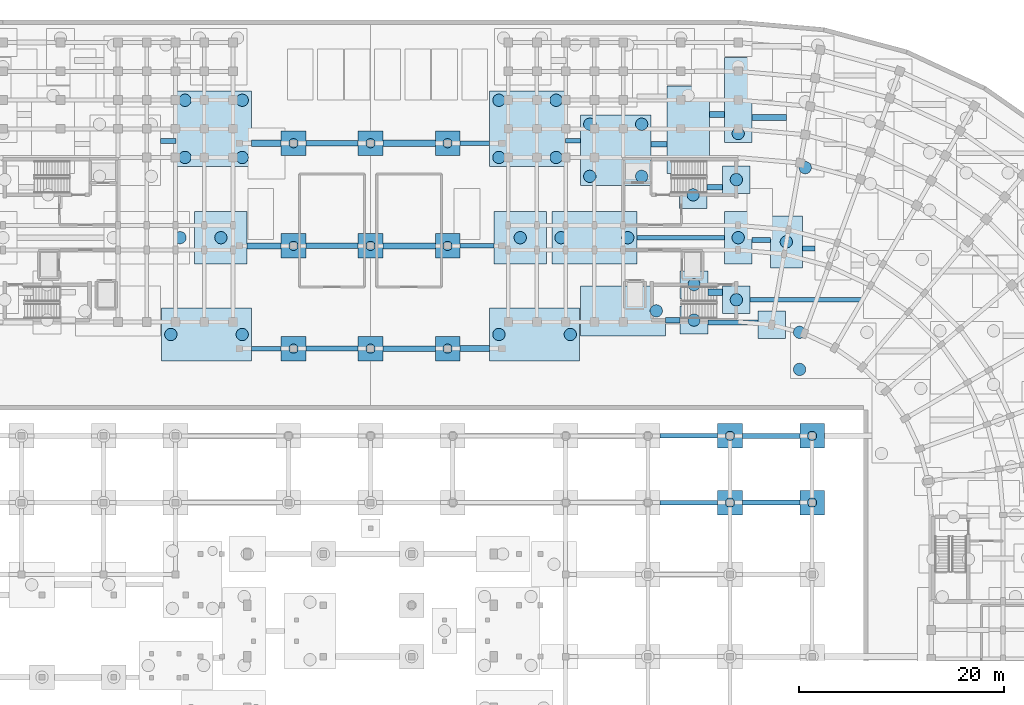
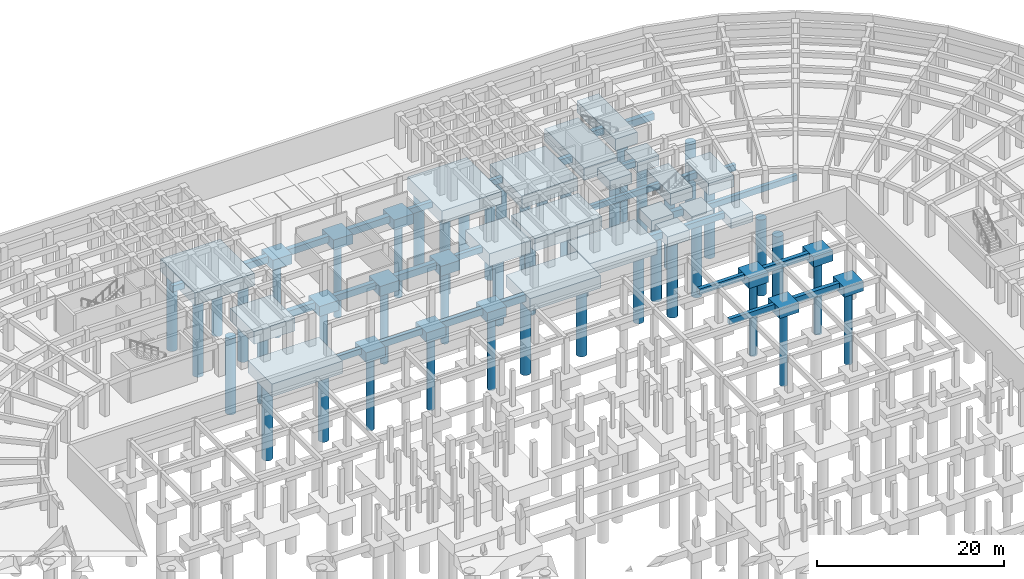
# One storey, part 9 of 53: 61 footings, 46 piles.
"""IFC4 building model written with IfcOpenShell, lengths in metres."""

from ifc_helpers import new_model, si_unit, direction, frame, origin, origin_2d, place, context, subcontext, project, spatial, rectangle, circle, extrude, material, material_profile, profile_set, type_object, element, save


model = new_model("IFC4")

# Units and contexts
model_context = context("Model", 3, precision=1e-05, world=origin(), true_north=direction((0.0, 1.0)))
body_context = subcontext(model_context, "Body", "Model", "MODEL_VIEW")
ifc_project = project(units=[si_unit("LENGTHUNIT", "METRE"), si_unit("AREAUNIT", "SQUARE_METRE"), si_unit("VOLUMEUNIT", "CUBIC_METRE"), si_unit("PLANEANGLEUNIT", "RADIAN"), si_unit("MASSUNIT", "GRAM", prefix="KILO")], contexts=[model_context])

# Site, building, storey
site_placement = place(None, origin())
site = spatial("IfcSite", under=ifc_project, at=site_placement, CompositionType="ELEMENT")
building_placement = place(site_placement, origin())
building = spatial("IfcBuilding", under=site, at=building_placement, Name="Kiranvali Square Residences", CompositionType="ELEMENT")
storey_placement = place(building_placement, frame((0.0, 0.0, -4.5)))
storey = spatial("IfcBuildingStorey", under=building, at=storey_placement, Name="B1", CompositionType="ELEMENT", Elevation=-4.5)

# Footings
ifc_material = material(Name="Concrete M40 (40 MPa)", Category="concrete")
footing_type_1 = type_object("IfcFootingType", Name="FTG-PILE_CAP-240x240x130", PredefinedType="PILE_CAP", material=ifc_material)
for number, where, z_axis, x_axis, name in (
    (1, (119.0, 89.0, -1.7998046875), (0.0, 0.0, 1.0), (1.0, 0.0, 0.0), "B1 pile cap 246"),
    (2, (127.0, 89.0, -1.7998046875), (0.0, 0.0, 1.0), (1.0, 0.0, 0.0), "B1 pile cap 247"),
    (3, (119.0, 95.5, -1.7998046875), (0.0, 0.0, 1.0), (1.0, 0.0, 0.0), "B1 pile cap 267"),
    (4, (127.0, 95.5, -1.7998046875), (0.0, 0.0, 1.0), (1.0, 0.0, 0.0), "B1 pile cap 268"),
    (5, (76.5, 104.0, -1.7998046875), (0.0, 0.0, 1.0), (1.0, 0.0, 0.0), "B1 pile cap 280"),
    (6, (84.0, 104.0, -1.7998046875), (0.0, 0.0, 1.0), (1.0, 0.0, 0.0), "B1 pile cap 281"),
    (7, (91.5, 104.0, -1.7998046875), (0.0, 0.0, 1.0), (1.0, 0.0, 0.0), "B1 pile cap 282"),
    (8, (76.5, 114.0, -1.7998046875), (0.0, 0.0, 1.0), (1.0, 0.0, 0.0), "B1 pile cap 312"),
    (9, (84.0, 114.0, -1.7998046875), (0.0, 0.0, 1.0), (1.0, 0.0, 0.0), "B1 pile cap 313"),
    (10, (91.5, 114.0, -1.7998046875), (0.0, 0.0, 1.0), (1.0, 0.0, 0.0), "B1 pile cap 314"),
    (11, (76.5, 124.0, -1.7998046875), (0.0, 0.0, 1.0), (1.0, 0.0, 0.0), "B1 pile cap 337"),
    (12, (84.0, 124.0, -1.7998046875), (0.0, 0.0, 1.0), (1.0, 0.0, 0.0), "B1 pile cap 338"),
    (13, (91.5, 124.0, -1.7998046875), (0.0, 0.0, 1.0), (1.0, 0.0, 0.0), "B1 pile cap 339"),
):
    element("IfcFooting", number, at=place(storey_placement, frame(where, z_axis=z_axis, x_axis=x_axis)), inside=storey, type_object=footing_type_1, Name=name, PredefinedType="PILE_CAP", context=body_context, shape_type="SweptSolid", body=[
        extrude(rectangle(XDim=2.39990234375, YDim=2.39990234375, at=origin_2d()), origin(), (0.0, 0.0, 1.0), 1.300048828125),
    ])
footing_type_2 = type_object("IfcFootingType", Name="FTG-PILE_CAP-270x270x130", PredefinedType="PILE_CAP", material=ifc_material)
for number, where, z_axis, x_axis, name in (
    (14, (123.06494140625, 106.31396484375, -1.7998046875), (0.0, 0.0, 1.0), (1.0, 0.0, 0.0), "B1 pile cap 287"),
    (15, (115.5, 106.77490234375, -1.7998046875), (0.0, 0.0, 1.0), (1.0, 0.0, 0.0), "B1 pile cap 291"),
    (16, (119.625, 108.75, -1.7998046875), (0.0, 0.0, 1.0), (1.0, 0.0, 0.0), "B1 pile cap 295"),
    (17, (115.5, 110.22509765625, -1.7998046875), (0.0, 0.0, 1.0), (1.0, 0.0, 0.0), "B1 pile cap 299"),
    (18, (115.412109375, 118.97509765625, -1.7998046875), (0.0, 0.0, 1.0), (1.0, 0.0, 0.0), "B1 pile cap 322"),
    (19, (119.625, 120.449951171875, -1.7998046875), (0.0, 0.0, 1.0), (1.0, 0.0, 0.0), "B1 pile cap 324"),
):
    element("IfcFooting", number, at=place(storey_placement, frame(where, z_axis=z_axis, x_axis=x_axis)), inside=storey, type_object=footing_type_2, Name=name, PredefinedType="PILE_CAP", context=body_context, shape_type="SweptSolid", body=[
        extrude(rectangle(XDim=2.699951171875, YDim=2.699951171875, at=origin_2d()), origin(), (0.0, 0.0, 1.0), 1.300048828125),
    ])
footing_type_3 = type_object("IfcFootingType", Name="FTG-PILE_CAP-506x312x150", PredefinedType="PILE_CAP", material=ifc_material)
footing_1_placement = place(storey_placement, frame((124.488525390625, 114.389892578125, -2.0), z_axis=(0.0, 0.0, 1.0), x_axis=(0.0, 1.0, 0.0)))
element("IfcFooting", 20, at=footing_1_placement, inside=storey, type_object=footing_type_3, Name="B1 pile cap 305", PredefinedType="PILE_CAP", context=body_context, shape_type="SweptSolid", body=[
    extrude(rectangle(XDim=5.06396484375, YDim=3.116943359375, at=origin_2d()), origin(), (0.0, 0.0, 1.0), 1.5),
])
footing_type_4 = type_object("IfcFootingType", Name="FTG-PILE_CAP-510x270x150", PredefinedType="PILE_CAP", material=ifc_material)
footing_2_placement = place(storey_placement, frame((119.800048828125, 114.800048828125, -2.0), z_axis=(0.0, 0.0, 1.0), x_axis=(0.0, 1.0, 0.0)))
element("IfcFooting", 21, at=footing_2_placement, inside=storey, type_object=footing_type_4, Name="B1 pile cap 311", PredefinedType="PILE_CAP", context=body_context, shape_type="SweptSolid", body=[
    extrude(rectangle(XDim=5.10009765625, YDim=2.699951171875, at=origin_2d()), origin(), (0.0, 0.0, 1.0), 1.5),
])
footing_type_5 = type_object("IfcFootingType", Name="FTG-PILE_CAP-510x510x165", PredefinedType="PILE_CAP", material=ifc_material)
for number, where, z_axis, x_axis, name in (
    (22, (69.425048828125, 114.800048828125, -2.14990234375), (0.0, 0.0, 1.0), (1.0, 0.0, 0.0), "B1 pile cap 308"),
    (23, (98.574951171875, 114.800048828125, -2.14990234375), (0.0, 0.0, 1.0), (1.0, 0.0, 0.0), "B1 pile cap 309"),
):
    element("IfcFooting", number, at=place(storey_placement, frame(where, z_axis=z_axis, x_axis=x_axis)), inside=storey, type_object=footing_type_5, Name=name, PredefinedType="PILE_CAP", context=body_context, shape_type="SweptSolid", body=[
        extrude(rectangle(XDim=5.10009765625, YDim=5.10009765625, at=origin_2d()), origin(), (0.0, 0.0, 1.0), 1.64990234375),
    ])
footing_type_6 = type_object("IfcFootingType", Name="FTG-PILE_CAP-688x685x165", PredefinedType="PILE_CAP", material=ifc_material)
footing_3_placement = place(storey_placement, frame((107.875, 123.3125, -2.14990234375), z_axis=(0.0, 0.0, 1.0), x_axis=(0.0, 1.0, 0.0)))
element("IfcFooting", 24, at=footing_3_placement, inside=storey, type_object=footing_type_6, Name="B1 pile cap 328", PredefinedType="PILE_CAP", context=body_context, shape_type="SweptSolid", body=[
    extrude(rectangle(XDim=6.875, YDim=6.85009765625, at=origin_2d()), origin(), (0.0, 0.0, 1.0), 1.64990234375),
])
footing_type_7 = type_object("IfcFootingType", Name="FTG-PILE_CAP-737x737x165", PredefinedType="PILE_CAP", material=ifc_material)
for number, where, z_axis, x_axis, name in (
    (25, (68.715087890625, 125.39990234375, -2.14990234375), (0.0, 0.0, 1.0), (1.0, 0.0, 0.0), "B1 pile cap 333"),
    (26, (99.284912109375, 125.39990234375, -2.14990234375), (0.0, 0.0, 1.0), (1.0, 0.0, 0.0), "B1 pile cap 334"),
):
    element("IfcFooting", number, at=place(storey_placement, frame(where, z_axis=z_axis, x_axis=x_axis)), inside=storey, type_object=footing_type_7, Name=name, PredefinedType="PILE_CAP", context=body_context, shape_type="SweptSolid", body=[
        extrude(rectangle(XDim=7.3701171875, YDim=7.3701171875, at=origin_2d()), origin(), (0.0, 0.0, 1.0), 1.64990234375),
    ])
footing_type_8 = type_object("IfcFootingType", Name="FTG-PILE_CAP-828x485x165", PredefinedType="PILE_CAP", material=ifc_material)
footing_4_placement = place(storey_placement, frame((108.58740234375, 107.675048828125, -2.14990234375), z_axis=(0.0, 0.0, 1.0), x_axis=(1.0, 0.0, 0.0)))
element("IfcFooting", 27, at=footing_4_placement, inside=storey, type_object=footing_type_8, Name="B1 pile cap 289", PredefinedType="PILE_CAP", context=body_context, shape_type="SweptSolid", body=[
    extrude(rectangle(XDim=8.27490234375, YDim=4.85009765625, at=origin_2d()), origin(), (0.0, 0.0, 1.0), 1.64990234375),
])
footing_type_9 = type_object("IfcFootingType", Name="FTG-PILE_CAP-830x270x150", PredefinedType="PILE_CAP", material=ifc_material)
footing_5_placement = place(storey_placement, frame((119.800048828125, 128.199951171875, -2.0), z_axis=(0.0, 0.0, 1.0), x_axis=(0.0, 1.0, 0.0)))
element("IfcFooting", 28, at=footing_5_placement, inside=storey, type_object=footing_type_9, Name="B1 pile cap 343", PredefinedType="PILE_CAP", context=body_context, shape_type="SweptSolid", body=[
    extrude(rectangle(XDim=8.300048828125, YDim=2.699951171875, at=origin_2d()), origin(), (0.0, 0.0, 1.0), 1.5),
])
footing_type_10 = type_object("IfcFootingType", Name="FTG-PILE_CAP-830x510x165", PredefinedType="PILE_CAP", material=ifc_material)
footing_6_placement = place(storey_placement, frame((105.800048828125, 114.800048828125, -2.14990234375), z_axis=(0.0, 0.0, 1.0), x_axis=(1.0, 0.0, 0.0)))
element("IfcFooting", 29, at=footing_6_placement, inside=storey, type_object=footing_type_10, Name="B1 pile cap 310", PredefinedType="PILE_CAP", context=body_context, shape_type="SweptSolid", body=[
    extrude(rectangle(XDim=8.300048828125, YDim=5.10009765625, at=origin_2d()), origin(), (0.0, 0.0, 1.0), 1.64990234375),
])
footing_type_11 = type_object("IfcFootingType", Name="FTG-PILE_CAP-847x415x165", PredefinedType="PILE_CAP", material=ifc_material)
footing_7_placement = place(storey_placement, frame((114.924072265625, 125.3125, -2.14990234375), z_axis=(0.0, 0.0, 1.0), x_axis=(0.0, 1.0, 0.0)))
element("IfcFooting", 30, at=footing_7_placement, inside=storey, type_object=footing_type_11, Name="B1 pile cap 332", PredefinedType="PILE_CAP", context=body_context, shape_type="SweptSolid", body=[
    extrude(rectangle(XDim=8.47509765625, YDim=4.14794921875, at=origin_2d()), origin(), (0.0, 0.0, 1.0), 1.64990234375),
])
footing_type_12 = type_object("IfcFootingType", Name="FTG-PILE_CAP-875x515x165", PredefinedType="PILE_CAP", material=ifc_material)
for number, where, z_axis, x_axis, name in (
    (31, (68.02490234375, 105.375, -2.14990234375), (0.0, 0.0, 1.0), (1.0, 0.0, 0.0), "B1 pile cap 279"),
    (32, (99.97509765625, 105.375, -2.14990234375), (0.0, 0.0, 1.0), (1.0, 0.0, 0.0), "B1 pile cap 283"),
):
    element("IfcFooting", number, at=place(storey_placement, frame(where, z_axis=z_axis, x_axis=x_axis)), inside=storey, type_object=footing_type_12, Name=name, PredefinedType="PILE_CAP", context=body_context, shape_type="SweptSolid", body=[
        extrude(rectangle(XDim=8.75, YDim=5.14990234375, at=origin_2d()), origin(), (0.0, 0.0, 1.0), 1.64990234375),
    ])
ifc_material_profile_1 = material_profile(ifc_material, rectangle(XDim=0.449951171875, YDim=0.75, at=origin_2d()), Name="GB 450x750")
ifc_profile_set_1 = profile_set([ifc_material_profile_1], Name="Concrete M40 (40 MPa)")
footing_type_13 = type_object("IfcFootingType", Name="GB-M40-450x750", PredefinedType="FOOTING_BEAM", material=ifc_profile_set_1)
for number, where, z_axis, x_axis, name in (
    (33, (112.199951171875, 89.0, -0.875), (1.0, 0.0, 0.0), (0.0, 1.0, 0.0), "Continuous foundation ground beam GB-184"),
    (34, (112.199951171875, 95.5, -0.875), (1.0, 0.0, 0.0), (0.0, 1.0, 0.0), "Continuous foundation ground beam GB-200"),
):
    element("IfcFooting", number, at=place(storey_placement, frame(where, z_axis=z_axis, x_axis=x_axis)), inside=storey, type_object=footing_type_13, Name=name, PredefinedType="FOOTING_BEAM", context=body_context, shape_type="SweptSolid", body=[
        extrude(rectangle(XDim=0.449951171875, YDim=0.75, at=origin_2d()), origin(), (0.0, 0.0, 1.0), 5.60009765625),
    ])
footing_8_placement = place(storey_placement, frame((72.39990234375, 104.0, -0.875), z_axis=(1.0, 0.0, 0.0), x_axis=(0.0, 1.0, 0.0)))
element("IfcFooting", 35, at=footing_8_placement, inside=storey, type_object=footing_type_13, Name="Continuous foundation ground beam GB-208", PredefinedType="FOOTING_BEAM", context=body_context, shape_type="SweptSolid", body=[
    extrude(rectangle(XDim=0.449951171875, YDim=0.75, at=origin_2d()), origin(), (0.0, 0.0, 1.0), 2.900146484375),
])
footing_9_placement = place(storey_placement, frame((116.85009765625, 106.54443359375, -0.875), z_axis=(1.0, 0.0, 0.0), x_axis=(0.0, 1.0, 0.0)))
element("IfcFooting", 36, at=footing_9_placement, inside=storey, type_object=footing_type_13, Name="Continuous foundation ground beam GB-216", PredefinedType="FOOTING_BEAM", context=body_context, shape_type="SweptSolid", body=[
    extrude(rectangle(XDim=0.449951171875, YDim=0.75, at=origin_2d()), origin(), (0.0, 0.0, 1.0), 4.864990234375),
])
footing_10_placement = place(storey_placement, frame((120.97509765625, 108.75, -0.875), z_axis=(1.0, 0.0, 0.0), x_axis=(0.0, 1.0, 0.0)))
element("IfcFooting", 37, at=footing_10_placement, inside=storey, type_object=footing_type_13, Name="Continuous foundation ground beam GB-220", PredefinedType="FOOTING_BEAM", context=body_context, shape_type="SweptSolid", body=[
    extrude(rectangle(XDim=0.449951171875, YDim=0.75, at=origin_2d()), origin(), (0.0, 0.0, 1.0), 11.02294921875),
])
footing_11_placement = place(storey_placement, frame((109.949951171875, 114.800048828125, -0.875), z_axis=(1.0, 0.0, 0.0), x_axis=(0.0, 1.0, 0.0)))
element("IfcFooting", 38, at=footing_11_placement, inside=storey, type_object=footing_type_13, Name="Continuous foundation ground beam GB-232", PredefinedType="FOOTING_BEAM", context=body_context, shape_type="SweptSolid", body=[
    extrude(rectangle(XDim=0.449951171875, YDim=0.75, at=origin_2d()), origin(), (0.0, 0.0, 1.0), 8.5),
])
footing_12_placement = place(storey_placement, frame((92.699951171875, 114.0, -0.875), z_axis=(1.0, 0.0, 0.0), x_axis=(0.0, 1.0, 0.0)))
element("IfcFooting", 39, at=footing_12_placement, inside=storey, type_object=footing_type_13, Name="Continuous foundation ground beam GB-236", PredefinedType="FOOTING_BEAM", context=body_context, shape_type="SweptSolid", body=[
    extrude(rectangle(XDim=0.449951171875, YDim=0.75, at=origin_2d()), origin(), (0.0, 0.0, 1.0), 3.324951171875),
])
footing_13_placement = place(storey_placement, frame((102.969970703125, 124.232421875, -0.875), z_axis=(1.0, 0.0, 0.0), x_axis=(0.0, 1.0, 0.0)))
element("IfcFooting", 40, at=footing_13_placement, inside=storey, type_object=footing_type_13, Name="Continuous foundation ground beam GB-252", PredefinedType="FOOTING_BEAM", context=body_context, shape_type="SweptSolid", body=[
    extrude(rectangle(XDim=0.449951171875, YDim=0.75, at=origin_2d()), origin(), (0.0, 0.0, 1.0), 1.47998046875),
])
footing_14_placement = place(storey_placement, frame((92.699951171875, 124.0, -0.875), z_axis=(1.0, 0.0, 0.0), x_axis=(0.0, 1.0, 0.0)))
element("IfcFooting", 41, at=footing_14_placement, inside=storey, type_object=footing_type_13, Name="Continuous foundation ground beam GB-256", PredefinedType="FOOTING_BEAM", context=body_context, shape_type="SweptSolid", body=[
    extrude(rectangle(XDim=0.449951171875, YDim=0.75, at=origin_2d()), origin(), (0.0, 0.0, 1.0), 2.900146484375),
])
ifc_material_profile_2 = material_profile(ifc_material, rectangle(XDim=0.5, YDim=0.800048828125, at=origin_2d()), Name="GB 500x800")
ifc_profile_set_2 = profile_set([ifc_material_profile_2], Name="Concrete M40 (40 MPa)")
footing_type_14 = type_object("IfcFootingType", Name="GB-M40-500x800", PredefinedType="FOOTING_BEAM", material=ifc_profile_set_2)
for number, where, z_axis, x_axis, name in (
    (42, (120.199951171875, 89.0, -0.89990234375), (1.0, 0.0, 0.0), (0.0, 1.0, 0.0), "Continuous foundation ground beam GB-185"),
    (43, (120.199951171875, 95.5, -0.89990234375), (1.0, 0.0, 0.0), (0.0, 1.0, 0.0), "Continuous foundation ground beam GB-201"),
):
    element("IfcFooting", number, at=place(storey_placement, frame(where, z_axis=z_axis, x_axis=x_axis)), inside=storey, type_object=footing_type_14, Name=name, PredefinedType="FOOTING_BEAM", context=body_context, shape_type="SweptSolid", body=[
        extrude(rectangle(XDim=0.5, YDim=0.800048828125, at=origin_2d()), origin(), (0.0, 0.0, 1.0), 5.60009765625),
    ])
footing_15_placement = place(storey_placement, frame((77.699951171875, 104.0, -0.89990234375), z_axis=(1.0, 0.0, 0.0), x_axis=(0.0, 1.0, 0.0)))
element("IfcFooting", 44, at=footing_15_placement, inside=storey, type_object=footing_type_14, Name="Continuous foundation ground beam GB-209", PredefinedType="FOOTING_BEAM", context=body_context, shape_type="SweptSolid", body=[
    extrude(rectangle(XDim=0.5, YDim=0.800048828125, at=origin_2d()), origin(), (0.0, 0.0, 1.0), 5.10009765625),
])
footing_16_placement = place(storey_placement, frame((126.047119140625, 113.75341796875, -0.89990234375), z_axis=(1.0, 0.0, 0.0), x_axis=(0.0, 1.0, 0.0)))
element("IfcFooting", 45, at=footing_16_placement, inside=storey, type_object=footing_type_14, Name="Continuous foundation ground beam GB-229", PredefinedType="FOOTING_BEAM", context=body_context, shape_type="SweptSolid", body=[
    extrude(rectangle(XDim=0.5, YDim=0.800048828125, at=origin_2d()), origin(), (0.0, 0.0, 1.0), 1.226806640625),
])
footing_17_placement = place(storey_placement, frame((121.14990234375, 114.5859375, -0.89990234375), z_axis=(1.0, 0.0, 0.0), x_axis=(0.0, 1.0, 0.0)))
element("IfcFooting", 46, at=footing_17_placement, inside=storey, type_object=footing_type_14, Name="Continuous foundation ground beam GB-233", PredefinedType="FOOTING_BEAM", context=body_context, shape_type="SweptSolid", body=[
    extrude(rectangle(XDim=0.5, YDim=0.800048828125, at=origin_2d()), origin(), (0.0, 0.0, 1.0), 1.780029296875),
])
footing_18_placement = place(storey_placement, frame((116.761962890625, 119.71240234375, -0.89990234375), z_axis=(1.0, 0.0, 0.0), x_axis=(0.0, 1.0, 0.0)))
element("IfcFooting", 47, at=footing_18_placement, inside=storey, type_object=footing_type_14, Name="Continuous foundation ground beam GB-241", PredefinedType="FOOTING_BEAM", context=body_context, shape_type="SweptSolid", body=[
    extrude(rectangle(XDim=0.5, YDim=0.800048828125, at=origin_2d()), origin(), (0.0, 0.0, 1.0), 1.512939453125),
])
footing_19_placement = place(storey_placement, frame((63.550048828125, 124.232421875, -0.89990234375), z_axis=(1.0, 0.0, 0.0), x_axis=(0.0, 1.0, 0.0)))
element("IfcFooting", 48, at=footing_19_placement, inside=storey, type_object=footing_type_14, Name="Continuous foundation ground beam GB-245", PredefinedType="FOOTING_BEAM", context=body_context, shape_type="SweptSolid", body=[
    extrude(rectangle(XDim=0.5, YDim=0.800048828125, at=origin_2d()), origin(), (0.0, 0.0, 1.0), 1.47998046875),
])
ifc_material_profile_3 = material_profile(ifc_material, rectangle(XDim=0.550048828125, YDim=0.85009765625, at=origin_2d()), Name="GB 550x850")
ifc_profile_set_3 = profile_set([ifc_material_profile_3], Name="Concrete M40 (40 MPa)")
footing_type_15 = type_object("IfcFootingType", Name="GB-M40-550x850", PredefinedType="FOOTING_BEAM", material=ifc_profile_set_3)
footing_20_placement = place(storey_placement, frame((85.199951171875, 104.0, -0.925048828125), z_axis=(1.0, 0.0, 0.0), x_axis=(0.0, 1.0, 0.0)))
element("IfcFooting", 49, at=footing_20_placement, inside=storey, type_object=footing_type_15, Name="Continuous foundation ground beam GB-210", PredefinedType="FOOTING_BEAM", context=body_context, shape_type="SweptSolid", body=[
    extrude(rectangle(XDim=0.550048828125, YDim=0.85009765625, at=origin_2d()), origin(), (0.0, 0.0, 1.0), 5.10009765625),
])
footing_21_placement = place(storey_placement, frame((112.72509765625, 106.77490234375, -0.925048828125), z_axis=(1.0, 0.0, 0.0), x_axis=(0.0, 1.0, 0.0)))
element("IfcFooting", 50, at=footing_21_placement, inside=storey, type_object=footing_type_15, Name="Continuous foundation ground beam GB-214", PredefinedType="FOOTING_BEAM", context=body_context, shape_type="SweptSolid", body=[
    extrude(rectangle(XDim=0.550048828125, YDim=0.85009765625, at=origin_2d()), origin(), (0.0, 0.0, 1.0), 1.4248046875),
])
footing_22_placement = place(storey_placement, frame((77.699951171875, 114.0, -0.925048828125), z_axis=(1.0, 0.0, 0.0), x_axis=(0.0, 1.0, 0.0)))
element("IfcFooting", 51, at=footing_22_placement, inside=storey, type_object=footing_type_15, Name="Continuous foundation ground beam GB-234", PredefinedType="FOOTING_BEAM", context=body_context, shape_type="SweptSolid", body=[
    extrude(rectangle(XDim=0.550048828125, YDim=0.85009765625, at=origin_2d()), origin(), (0.0, 0.0, 1.0), 5.10009765625),
])
footing_23_placement = place(storey_placement, frame((111.300048828125, 123.91259765625, -0.925048828125), z_axis=(1.0, 0.0, 0.0), x_axis=(0.0, 1.0, 0.0)))
element("IfcFooting", 52, at=footing_23_placement, inside=storey, type_object=footing_type_15, Name="Continuous foundation ground beam GB-246", PredefinedType="FOOTING_BEAM", context=body_context, shape_type="SweptSolid", body=[
    extrude(rectangle(XDim=0.550048828125, YDim=0.85009765625, at=origin_2d()), origin(), (0.0, 0.0, 1.0), 1.550048828125),
])
footing_24_placement = place(storey_placement, frame((116.998046875, 126.800048828125, -0.925048828125), z_axis=(1.0, 0.0, 0.0), x_axis=(0.0, 1.0, 0.0)))
element("IfcFooting", 53, at=footing_24_placement, inside=storey, type_object=footing_type_15, Name="Continuous foundation ground beam GB-250", PredefinedType="FOOTING_BEAM", context=body_context, shape_type="SweptSolid", body=[
    extrude(rectangle(XDim=0.550048828125, YDim=0.85009765625, at=origin_2d()), origin(), (0.0, 0.0, 1.0), 1.451904296875),
])
footing_25_placement = place(storey_placement, frame((77.699951171875, 124.0, -0.925048828125), z_axis=(1.0, 0.0, 0.0), x_axis=(0.0, 1.0, 0.0)))
element("IfcFooting", 54, at=footing_25_placement, inside=storey, type_object=footing_type_15, Name="Continuous foundation ground beam GB-254", PredefinedType="FOOTING_BEAM", context=body_context, shape_type="SweptSolid", body=[
    extrude(rectangle(XDim=0.550048828125, YDim=0.85009765625, at=origin_2d()), origin(), (0.0, 0.0, 1.0), 5.10009765625),
])
ifc_material_profile_4 = material_profile(ifc_material, rectangle(XDim=0.60009765625, YDim=0.89990234375, at=origin_2d()), Name="GB 600x900")
ifc_profile_set_4 = profile_set([ifc_material_profile_4], Name="Concrete M40 (40 MPa)")
footing_type_16 = type_object("IfcFootingType", Name="GB-M40-600x900", PredefinedType="FOOTING_BEAM", material=ifc_profile_set_4)
footing_26_placement = place(storey_placement, frame((92.699951171875, 104.0, -0.949951171875), z_axis=(1.0, 0.0, 0.0), x_axis=(0.0, 1.0, 0.0)))
element("IfcFooting", 55, at=footing_26_placement, inside=storey, type_object=footing_type_16, Name="Continuous foundation ground beam GB-211", PredefinedType="FOOTING_BEAM", context=body_context, shape_type="SweptSolid", body=[
    extrude(rectangle(XDim=0.60009765625, YDim=0.89990234375, at=origin_2d()), origin(), (0.0, 0.0, 1.0), 2.900146484375),
])
footing_27_placement = place(storey_placement, frame((116.85009765625, 109.487548828125, -0.949951171875), z_axis=(1.0, 0.0, 0.0), x_axis=(0.0, 1.0, 0.0)))
element("IfcFooting", 56, at=footing_27_placement, inside=storey, type_object=footing_type_16, Name="Continuous foundation ground beam GB-223", PredefinedType="FOOTING_BEAM", context=body_context, shape_type="SweptSolid", body=[
    extrude(rectangle(XDim=0.60009765625, YDim=0.89990234375, at=origin_2d()), origin(), (0.0, 0.0, 1.0), 1.4248046875),
])
footing_28_placement = place(storey_placement, frame((71.97509765625, 114.0, -0.949951171875), z_axis=(1.0, 0.0, 0.0), x_axis=(0.0, 1.0, 0.0)))
element("IfcFooting", 57, at=footing_28_placement, inside=storey, type_object=footing_type_16, Name="Continuous foundation ground beam GB-231", PredefinedType="FOOTING_BEAM", context=body_context, shape_type="SweptSolid", body=[
    extrude(rectangle(XDim=0.60009765625, YDim=0.89990234375, at=origin_2d()), origin(), (0.0, 0.0, 1.0), 3.324951171875),
])
footing_29_placement = place(storey_placement, frame((85.199951171875, 114.0, -0.949951171875), z_axis=(1.0, 0.0, 0.0), x_axis=(0.0, 1.0, 0.0)))
element("IfcFooting", 58, at=footing_29_placement, inside=storey, type_object=footing_type_16, Name="Continuous foundation ground beam GB-235", PredefinedType="FOOTING_BEAM", context=body_context, shape_type="SweptSolid", body=[
    extrude(rectangle(XDim=0.60009765625, YDim=0.89990234375, at=origin_2d()), origin(), (0.0, 0.0, 1.0), 5.10009765625),
])
footing_30_placement = place(storey_placement, frame((72.39990234375, 124.0, -0.949951171875), z_axis=(1.0, 0.0, 0.0), x_axis=(0.0, 1.0, 0.0)))
element("IfcFooting", 59, at=footing_30_placement, inside=storey, type_object=footing_type_16, Name="Continuous foundation ground beam GB-251", PredefinedType="FOOTING_BEAM", context=body_context, shape_type="SweptSolid", body=[
    extrude(rectangle(XDim=0.60009765625, YDim=0.89990234375, at=origin_2d()), origin(), (0.0, 0.0, 1.0), 2.900146484375),
])
footing_31_placement = place(storey_placement, frame((85.199951171875, 124.0, -0.949951171875), z_axis=(1.0, 0.0, 0.0), x_axis=(0.0, 1.0, 0.0)))
element("IfcFooting", 60, at=footing_31_placement, inside=storey, type_object=footing_type_16, Name="Continuous foundation ground beam GB-255", PredefinedType="FOOTING_BEAM", context=body_context, shape_type="SweptSolid", body=[
    extrude(rectangle(XDim=0.60009765625, YDim=0.89990234375, at=origin_2d()), origin(), (0.0, 0.0, 1.0), 5.10009765625),
])
footing_32_placement = place(storey_placement, frame((121.14990234375, 126.492919921875, -0.949951171875), z_axis=(1.0, 0.0, 0.0), x_axis=(0.0, 1.0, 0.0)))
element("IfcFooting", 61, at=footing_32_placement, inside=storey, type_object=footing_type_16, Name="Continuous foundation ground beam GB-259", PredefinedType="FOOTING_BEAM", context=body_context, shape_type="SweptSolid", body=[
    extrude(rectangle(XDim=0.60009765625, YDim=0.89990234375, at=origin_2d()), origin(), (0.0, 0.0, 1.0), 3.343017578125),
])

# Piles
ifc_material_profile_5 = material_profile(ifc_material, circle(Radius=0.60009765625, at=origin_2d()), Name="BORED PILE 1200")
ifc_profile_set_5 = profile_set([ifc_material_profile_5], Name="Concrete M40 (40 MPa)")
pile_type_1 = type_object("IfcPileType", Name="PILE-BORED-1200", PredefinedType="BORED", material=ifc_profile_set_5)
for number, where, z_axis, x_axis, name in (
    (62, (125.780029296875, 101.972900390625, -2.050048828125), (0.0, 0.0, -1.0), (1.0, 0.0, 0.0), "Bored basalt-socketed pile P-0376"),
    (63, (125.780029296875, 105.5849609375, -2.050048828125), (0.0, 0.0, -1.0), (1.0, 0.0, 0.0), "Bored basalt-socketed pile P-0377"),
    (64, (64.550048828125, 105.375, -2.050048828125), (0.0, 0.0, -1.0), (1.0, 0.0, 0.0), "Bored basalt-socketed pile P-0381"),
    (65, (71.5, 105.375, -2.050048828125), (0.0, 0.0, -1.0), (1.0, 0.0, 0.0), "Bored basalt-socketed pile P-0382"),
    (66, (96.5, 105.375, -2.050048828125), (0.0, 0.0, -1.0), (1.0, 0.0, 0.0), "Bored basalt-socketed pile P-0386"),
    (67, (103.449951171875, 105.375, -2.050048828125), (0.0, 0.0, -1.0), (1.0, 0.0, 0.0), "Bored basalt-socketed pile P-0387"),
    (68, (111.824951171875, 107.675048828125, -2.050048828125), (0.0, 0.0, -1.0), (1.0, 0.0, 0.0), "Bored basalt-socketed pile P-0393"),
):
    element("IfcPile", number, at=place(storey_placement, frame(where, z_axis=z_axis, x_axis=x_axis)), inside=storey, type_object=pile_type_1, Name=name, PredefinedType="BORED", context=body_context, shape_type="SweptSolid", body=[
        extrude(circle(Radius=0.60009765625, at=origin_2d()), origin(), (0.0, 0.0, 1.0), 9.949951171875),
    ])
for number, where, z_axis, x_axis, name in (
    (69, (115.5, 106.77490234375, -1.699951171875), (0.0, 0.0, -1.0), (1.0, 0.0, 0.0), "Bored basalt-socketed pile P-0395"),
    (70, (119.625, 108.75, -1.699951171875), (0.0, 0.0, -1.0), (1.0, 0.0, 0.0), "Bored basalt-socketed pile P-0401"),
    (71, (115.5, 110.22509765625, -1.699951171875), (0.0, 0.0, -1.0), (1.0, 0.0, 0.0), "Bored basalt-socketed pile P-0405"),
):
    element("IfcPile", number, at=place(storey_placement, frame(where, z_axis=z_axis, x_axis=x_axis)), inside=storey, type_object=pile_type_1, Name=name, PredefinedType="BORED", context=body_context, shape_type="SweptSolid", body=[
        extrude(circle(Radius=0.60009765625, at=origin_2d()), origin(), (0.0, 0.0, 1.0), 10.300048828125),
    ])
pile_1_placement = place(storey_placement, frame((124.488525390625, 114.389892578125, -1.89990234375), z_axis=(0.0, 0.0, -1.0), x_axis=(1.0, 0.0, 0.0)))
element("IfcPile", 72, at=pile_1_placement, inside=storey, type_object=pile_type_1, Name="Bored basalt-socketed pile P-0417", PredefinedType="BORED", context=body_context, shape_type="SweptSolid", body=[
    extrude(circle(Radius=0.60009765625, at=origin_2d()), origin(), (0.0, 0.0, 1.0), 10.10009765625),
])
for number, where, z_axis, x_axis, name in (
    (73, (65.449951171875, 114.800048828125, -2.050048828125), (0.0, 0.0, -1.0), (1.0, 0.0, 0.0), "Bored basalt-socketed pile P-0420"),
    (74, (69.425048828125, 114.800048828125, -2.050048828125), (0.0, 0.0, -1.0), (1.0, 0.0, 0.0), "Bored basalt-socketed pile P-0421"),
    (75, (98.574951171875, 114.800048828125, -2.050048828125), (0.0, 0.0, -1.0), (1.0, 0.0, 0.0), "Bored basalt-socketed pile P-0422"),
    (76, (102.550048828125, 114.800048828125, -2.050048828125), (0.0, 0.0, -1.0), (1.0, 0.0, 0.0), "Bored basalt-socketed pile P-0423"),
    (77, (109.050048828125, 114.800048828125, -2.050048828125), (0.0, 0.0, -1.0), (1.0, 0.0, 0.0), "Bored basalt-socketed pile P-0424"),
):
    element("IfcPile", number, at=place(storey_placement, frame(where, z_axis=z_axis, x_axis=x_axis)), inside=storey, type_object=pile_type_1, Name=name, PredefinedType="BORED", context=body_context, shape_type="SweptSolid", body=[
        extrude(circle(Radius=0.60009765625, at=origin_2d()), origin(), (0.0, 0.0, 1.0), 9.949951171875),
    ])
pile_2_placement = place(storey_placement, frame((119.800048828125, 114.800048828125, -1.89990234375), z_axis=(0.0, 0.0, -1.0), x_axis=(1.0, 0.0, 0.0)))
element("IfcPile", 78, at=pile_2_placement, inside=storey, type_object=pile_type_1, Name="Bored basalt-socketed pile P-0425", PredefinedType="BORED", context=body_context, shape_type="SweptSolid", body=[
    extrude(circle(Radius=0.60009765625, at=origin_2d()), origin(), (0.0, 0.0, 1.0), 10.10009765625),
])
for number, where, z_axis, x_axis, name in (
    (79, (115.412109375, 118.97509765625, -1.699951171875), (0.0, 0.0, -1.0), (1.0, 0.0, 0.0), "Bored basalt-socketed pile P-0440"),
    (80, (119.625, 120.449951171875, -1.699951171875), (0.0, 0.0, -1.0), (1.0, 0.0, 0.0), "Bored basalt-socketed pile P-0442"),
):
    element("IfcPile", number, at=place(storey_placement, frame(where, z_axis=z_axis, x_axis=x_axis)), inside=storey, type_object=pile_type_1, Name=name, PredefinedType="BORED", context=body_context, shape_type="SweptSolid", body=[
        extrude(circle(Radius=0.60009765625, at=origin_2d()), origin(), (0.0, 0.0, 1.0), 10.300048828125),
    ])
for number, where, z_axis, x_axis, name in (
    (81, (105.35009765625, 120.77490234375, -2.050048828125), (0.0, 0.0, -1.0), (1.0, 0.0, 0.0), "Bored basalt-socketed pile P-0451"),
    (82, (105.35009765625, 125.85009765625, -2.050048828125), (0.0, 0.0, -1.0), (1.0, 0.0, 0.0), "Bored basalt-socketed pile P-0452"),
    (83, (110.39990234375, 120.77490234375, -2.050048828125), (0.0, 0.0, -1.0), (1.0, 0.0, 0.0), "Bored basalt-socketed pile P-0453"),
    (84, (110.39990234375, 125.85009765625, -2.050048828125), (0.0, 0.0, -1.0), (1.0, 0.0, 0.0), "Bored basalt-socketed pile P-0454"),
    (85, (126.3291015625, 121.62109375, -2.050048828125), (0.0, 0.0, -1.0), (1.0, 0.0, 0.0), "Bored basalt-socketed pile P-0457"),
    (86, (65.929931640625, 122.614990234375, -2.050048828125), (0.0, 0.0, -1.0), (1.0, 0.0, 0.0), "Bored basalt-socketed pile P-0461"),
    (87, (65.929931640625, 128.18505859375, -2.050048828125), (0.0, 0.0, -1.0), (1.0, 0.0, 0.0), "Bored basalt-socketed pile P-0462"),
    (88, (71.5, 122.614990234375, -2.050048828125), (0.0, 0.0, -1.0), (1.0, 0.0, 0.0), "Bored basalt-socketed pile P-0463"),
    (89, (71.5, 128.18505859375, -2.050048828125), (0.0, 0.0, -1.0), (1.0, 0.0, 0.0), "Bored basalt-socketed pile P-0464"),
    (90, (96.5, 122.614990234375, -2.050048828125), (0.0, 0.0, -1.0), (1.0, 0.0, 0.0), "Bored basalt-socketed pile P-0465"),
    (91, (96.5, 128.18505859375, -2.050048828125), (0.0, 0.0, -1.0), (1.0, 0.0, 0.0), "Bored basalt-socketed pile P-0466"),
    (92, (102.070068359375, 122.614990234375, -2.050048828125), (0.0, 0.0, -1.0), (1.0, 0.0, 0.0), "Bored basalt-socketed pile P-0467"),
    (93, (102.070068359375, 128.18505859375, -2.050048828125), (0.0, 0.0, -1.0), (1.0, 0.0, 0.0), "Bored basalt-socketed pile P-0468"),
):
    element("IfcPile", number, at=place(storey_placement, frame(where, z_axis=z_axis, x_axis=x_axis)), inside=storey, type_object=pile_type_1, Name=name, PredefinedType="BORED", context=body_context, shape_type="SweptSolid", body=[
        extrude(circle(Radius=0.60009765625, at=origin_2d()), origin(), (0.0, 0.0, 1.0), 9.949951171875),
    ])
pile_3_placement = place(storey_placement, frame((119.800048828125, 124.949951171875, -1.89990234375), z_axis=(0.0, 0.0, -1.0), x_axis=(1.0, 0.0, 0.0)))
element("IfcPile", 94, at=pile_3_placement, inside=storey, type_object=pile_type_1, Name="Bored basalt-socketed pile P-0478", PredefinedType="BORED", context=body_context, shape_type="SweptSolid", body=[
    extrude(circle(Radius=0.60009765625, at=origin_2d()), origin(), (0.0, 0.0, 1.0), 10.10009765625),
])
ifc_material_profile_6 = material_profile(ifc_material, circle(Radius=0.449951171875, at=origin_2d()), Name="BORED PILE 900")
ifc_profile_set_6 = profile_set([ifc_material_profile_6], Name="Concrete M40 (40 MPa)")
pile_type_2 = type_object("IfcPileType", Name="PILE-BORED-900", PredefinedType="BORED", material=ifc_profile_set_6)
for number, where, z_axis, x_axis, name in (
    (95, (119.0, 89.0, -1.699951171875), (0.0, 0.0, -1.0), (1.0, 0.0, 0.0), "Bored basalt-socketed pile P-0332"),
    (96, (127.0, 89.0, -1.699951171875), (0.0, 0.0, -1.0), (1.0, 0.0, 0.0), "Bored basalt-socketed pile P-0333"),
    (97, (119.0, 95.5, -1.699951171875), (0.0, 0.0, -1.0), (1.0, 0.0, 0.0), "Bored basalt-socketed pile P-0359"),
    (98, (127.0, 95.5, -1.699951171875), (0.0, 0.0, -1.0), (1.0, 0.0, 0.0), "Bored basalt-socketed pile P-0360"),
    (99, (76.5, 104.0, -1.699951171875), (0.0, 0.0, -1.0), (1.0, 0.0, 0.0), "Bored basalt-socketed pile P-0383"),
    (100, (84.0, 104.0, -1.699951171875), (0.0, 0.0, -1.0), (1.0, 0.0, 0.0), "Bored basalt-socketed pile P-0384"),
    (101, (91.5, 104.0, -1.699951171875), (0.0, 0.0, -1.0), (1.0, 0.0, 0.0), "Bored basalt-socketed pile P-0385"),
    (102, (76.5, 114.0, -1.699951171875), (0.0, 0.0, -1.0), (1.0, 0.0, 0.0), "Bored basalt-socketed pile P-0426"),
    (103, (84.0, 114.0, -1.699951171875), (0.0, 0.0, -1.0), (1.0, 0.0, 0.0), "Bored basalt-socketed pile P-0427"),
    (104, (91.5, 114.0, -1.699951171875), (0.0, 0.0, -1.0), (1.0, 0.0, 0.0), "Bored basalt-socketed pile P-0428"),
    (105, (76.5, 124.0, -1.699951171875), (0.0, 0.0, -1.0), (1.0, 0.0, 0.0), "Bored basalt-socketed pile P-0471"),
    (106, (84.0, 124.0, -1.699951171875), (0.0, 0.0, -1.0), (1.0, 0.0, 0.0), "Bored basalt-socketed pile P-0472"),
    (107, (91.5, 124.0, -1.699951171875), (0.0, 0.0, -1.0), (1.0, 0.0, 0.0), "Bored basalt-socketed pile P-0473"),
):
    element("IfcPile", number, at=place(storey_placement, frame(where, z_axis=z_axis, x_axis=x_axis)), inside=storey, type_object=pile_type_2, Name=name, PredefinedType="BORED", context=body_context, shape_type="SweptSolid", body=[
        extrude(circle(Radius=0.449951171875, at=origin_2d()), origin(), (0.0, 0.0, 1.0), 9.800048828125),
    ])

save(model, "model.ifc")
